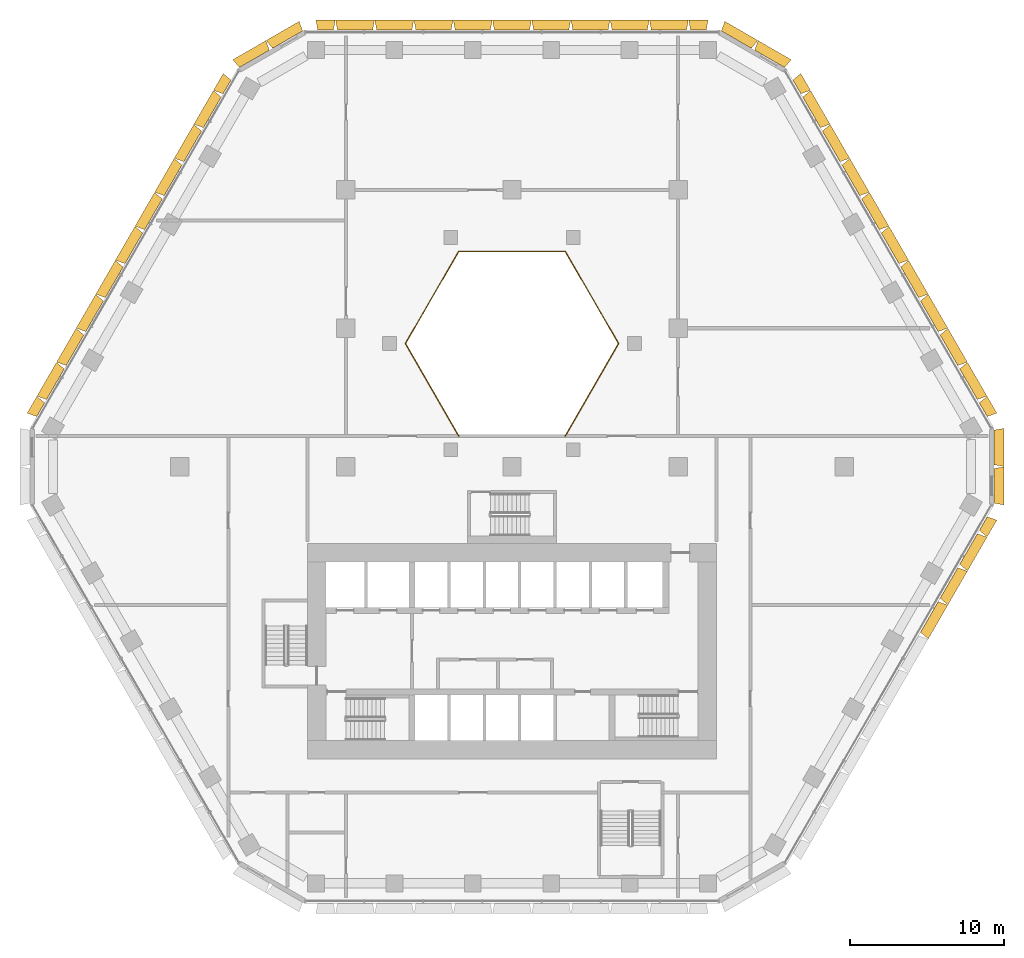
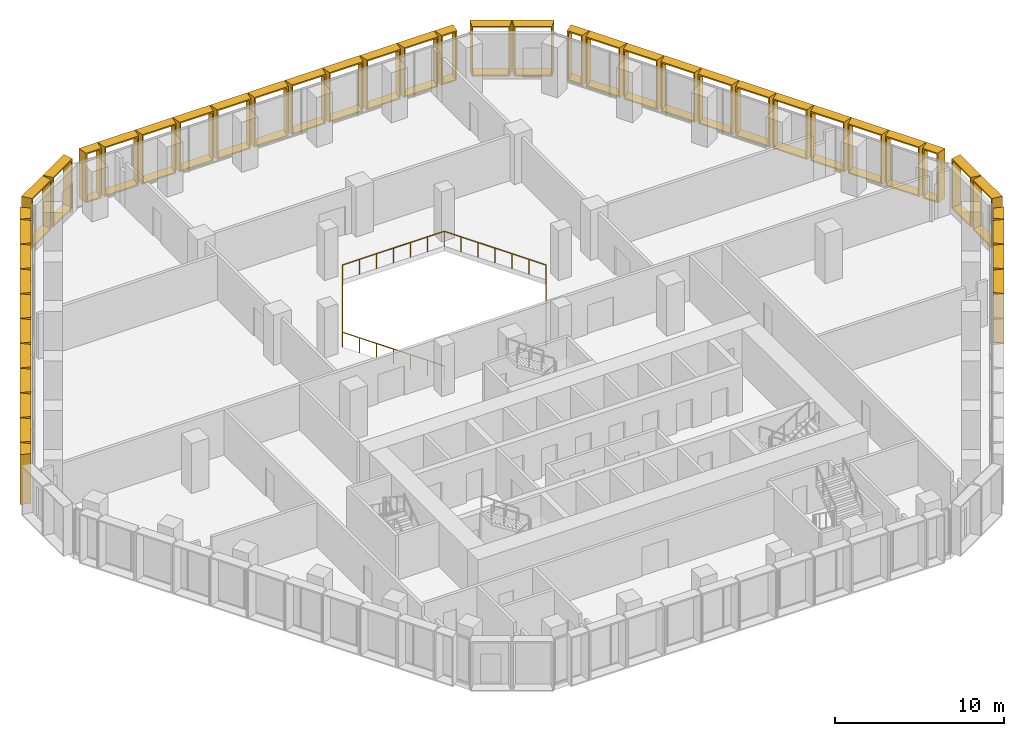
# One storey, part 22 of 22: 43 shading devices, 1 railing.
"""IFC4 building model written with IfcOpenShell, lengths in metres."""

from ifc_helpers import new_model, entity, si_unit, direction, frame, origin, origin_2d, place, context, subcontext, project, spatial, rectangle, extrude, source, transform, mapped, material, type_object, type_shapes, element, save


model = new_model("IFC4")

# Units and contexts
model_context = context("Model", 3, precision=1e-05, world=origin(), true_north=direction((0.0, 1.0)))
body_context = subcontext(model_context, "Body", "Model", "MODEL_VIEW")
ifc_project = project(units=[si_unit("LENGTHUNIT", "METRE"), si_unit("AREAUNIT", "SQUARE_METRE"), si_unit("VOLUMEUNIT", "CUBIC_METRE"), si_unit("PLANEANGLEUNIT", "RADIAN"), si_unit("MASSUNIT", "GRAM", prefix="KILO")], contexts=[model_context])

# Site, building, storey
site_placement = place(None, origin())
site = spatial("IfcSite", under=ifc_project, at=site_placement, CompositionType="ELEMENT")
building_placement = place(site_placement, origin())
building = spatial("IfcBuilding", under=site, at=building_placement, Name="Beryl Residences", CompositionType="ELEMENT")
storey_placement = place(building_placement, frame((0.0, 0.0, 12.60009765625)))
storey = spatial("IfcBuildingStorey", under=building, at=storey_placement, Name="L03", CompositionType="ELEMENT", Elevation=12.60009765625)

# Railing
ifc_material_1 = material(Name="Stainless steel balustrade with glass infill", Category="steel")
railing_type = type_object("IfcRailingType", Name="EG1 edge guard 1100 mm", PredefinedType="GUARDRAIL", material=ifc_material_1)
railing_placement = place(storey_placement, frame((3.464111328125, 2.0, 0.0)))
element("IfcRailing", 1, at=railing_placement, inside=storey, type_object=railing_type, Name="L03 guard 7", PredefinedType="GUARDRAIL", context=body_context, shape_type="SweptSolid", body=[
    extrude(rectangle(XDim=0.048095703125, YDim=0.048095703125, at=origin_2d()), frame((0.0, 0.0, 1.076171875), z_axis=(0.49997462182, 0.866040055388, 0.0), x_axis=(-0.866040055388, 0.49997462182, 0.0)), (0.0, 0.0, 1.0), 6.927978515625),
    extrude(rectangle(XDim=0.048095703125, YDim=0.048095703125, at=origin_2d()), frame((3.4638671875, 6.0, 1.076171875), z_axis=(-0.49997462182, 0.866040055388, 0.0), x_axis=(-0.866040055388, -0.49997462182, 0.0)), (0.0, 0.0, 1.0), 6.927978515625),
    extrude(rectangle(XDim=0.048095703125, YDim=0.048095703125, at=origin_2d()), frame((0.0, 12.0, 1.076171875), z_axis=(-1.0, 0.0, 0.0), x_axis=(0.0, -1.0, 0.0)), (0.0, 0.0, 1.0), 6.92822265625),
    extrude(rectangle(XDim=0.048095703125, YDim=0.048095703125, at=origin_2d()), frame((-6.92822265625, 12.0, 1.076171875), z_axis=(-0.49997462182, -0.866040055388, 0.0), x_axis=(0.866040055388, -0.49997462182, 0.0)), (0.0, 0.0, 1.0), 6.927978515625),
    extrude(rectangle(XDim=0.048095703125, YDim=0.048095703125, at=origin_2d()), frame((-10.39208984375, 6.0, 1.076171875), z_axis=(0.49997462182, -0.866040055388, 0.0), x_axis=(0.866040055388, 0.49997462182, 0.0)), (0.0, 0.0, 1.0), 6.927978515625),
    extrude(rectangle(XDim=0.0419921875, YDim=0.0419921875, at=origin_2d()), origin(), (0.0, 0.0, 1.0), 1.052001953125),
    extrude(rectangle(XDim=0.0419921875, YDim=0.0419921875, at=origin_2d()), frame((0.577392578125, 1.0, 0.0)), (0.0, 0.0, 1.0), 1.052001953125),
    extrude(rectangle(XDim=0.0419921875, YDim=0.0419921875, at=origin_2d()), frame((1.154541015625, 2.0, 0.0)), (0.0, 0.0, 1.0), 1.052001953125),
    extrude(rectangle(XDim=0.0419921875, YDim=0.0419921875, at=origin_2d()), frame((1.73193359375, 3.0, 0.0)), (0.0, 0.0, 1.0), 1.052001953125),
    extrude(rectangle(XDim=0.0419921875, YDim=0.0419921875, at=origin_2d()), frame((2.309326171875, 4.0, 0.0)), (0.0, 0.0, 1.0), 1.052001953125),
    extrude(rectangle(XDim=0.0419921875, YDim=0.0419921875, at=origin_2d()), frame((2.886474609375, 5.0, 0.0)), (0.0, 0.0, 1.0), 1.052001953125),
    extrude(rectangle(XDim=0.0419921875, YDim=0.0419921875, at=origin_2d()), frame((3.4638671875, 6.0, 0.0)), (0.0, 0.0, 1.0), 1.052001953125),
    extrude(rectangle(XDim=0.0419921875, YDim=0.0419921875, at=origin_2d()), frame((2.886474609375, 7.0, 0.0)), (0.0, 0.0, 1.0), 1.052001953125),
    extrude(rectangle(XDim=0.0419921875, YDim=0.0419921875, at=origin_2d()), frame((2.309326171875, 8.0, 0.0)), (0.0, 0.0, 1.0), 1.052001953125),
    extrude(rectangle(XDim=0.0419921875, YDim=0.0419921875, at=origin_2d()), frame((1.73193359375, 9.0, 0.0)), (0.0, 0.0, 1.0), 1.052001953125),
    extrude(rectangle(XDim=0.0419921875, YDim=0.0419921875, at=origin_2d()), frame((1.154541015625, 10.0, 0.0)), (0.0, 0.0, 1.0), 1.052001953125),
    extrude(rectangle(XDim=0.0419921875, YDim=0.0419921875, at=origin_2d()), frame((0.577392578125, 11.0, 0.0)), (0.0, 0.0, 1.0), 1.052001953125),
    extrude(rectangle(XDim=0.0419921875, YDim=0.0419921875, at=origin_2d()), frame((0.0, 12.0, 0.0)), (0.0, 0.0, 1.0), 1.052001953125),
    extrude(rectangle(XDim=0.0419921875, YDim=0.0419921875, at=origin_2d()), frame((-1.15478515625, 12.0, 0.0)), (0.0, 0.0, 1.0), 1.052001953125),
    extrude(rectangle(XDim=0.0419921875, YDim=0.0419921875, at=origin_2d()), frame((-2.309326171875, 12.0, 0.0)), (0.0, 0.0, 1.0), 1.052001953125),
    extrude(rectangle(XDim=0.0419921875, YDim=0.0419921875, at=origin_2d()), frame((-3.464111328125, 12.0, 0.0)), (0.0, 0.0, 1.0), 1.052001953125),
    extrude(rectangle(XDim=0.0419921875, YDim=0.0419921875, at=origin_2d()), frame((-4.618896484375, 12.0, 0.0)), (0.0, 0.0, 1.0), 1.052001953125),
    extrude(rectangle(XDim=0.0419921875, YDim=0.0419921875, at=origin_2d()), frame((-5.7734375, 12.0, 0.0)), (0.0, 0.0, 1.0), 1.052001953125),
    extrude(rectangle(XDim=0.0419921875, YDim=0.0419921875, at=origin_2d()), frame((-6.92822265625, 12.0, 0.0)), (0.0, 0.0, 1.0), 1.052001953125),
    extrude(rectangle(XDim=0.0419921875, YDim=0.0419921875, at=origin_2d()), frame((-7.505615234375, 11.0, 0.0)), (0.0, 0.0, 1.0), 1.052001953125),
    extrude(rectangle(XDim=0.0419921875, YDim=0.0419921875, at=origin_2d()), frame((-8.082763671875, 10.0, 0.0)), (0.0, 0.0, 1.0), 1.052001953125),
    extrude(rectangle(XDim=0.0419921875, YDim=0.0419921875, at=origin_2d()), frame((-8.66015625, 9.0, 0.0)), (0.0, 0.0, 1.0), 1.052001953125),
    extrude(rectangle(XDim=0.0419921875, YDim=0.0419921875, at=origin_2d()), frame((-9.237548828125, 8.0, 0.0)), (0.0, 0.0, 1.0), 1.052001953125),
    extrude(rectangle(XDim=0.0419921875, YDim=0.0419921875, at=origin_2d()), frame((-9.814697265625, 7.0, 0.0)), (0.0, 0.0, 1.0), 1.052001953125),
    extrude(rectangle(XDim=0.0419921875, YDim=0.0419921875, at=origin_2d()), frame((-10.39208984375, 6.0, 0.0)), (0.0, 0.0, 1.0), 1.052001953125),
    extrude(rectangle(XDim=0.0419921875, YDim=0.0419921875, at=origin_2d()), frame((-9.814697265625, 5.0, 0.0)), (0.0, 0.0, 1.0), 1.052001953125),
    extrude(rectangle(XDim=0.0419921875, YDim=0.0419921875, at=origin_2d()), frame((-9.237548828125, 4.0, 0.0)), (0.0, 0.0, 1.0), 1.052001953125),
    extrude(rectangle(XDim=0.0419921875, YDim=0.0419921875, at=origin_2d()), frame((-8.66015625, 3.0, 0.0)), (0.0, 0.0, 1.0), 1.052001953125),
    extrude(rectangle(XDim=0.0419921875, YDim=0.0419921875, at=origin_2d()), frame((-8.082763671875, 2.0, 0.0)), (0.0, 0.0, 1.0), 1.052001953125),
    extrude(rectangle(XDim=0.0419921875, YDim=0.0419921875, at=origin_2d()), frame((-7.505615234375, 1.0, 0.0)), (0.0, 0.0, 1.0), 1.052001953125),
    extrude(rectangle(XDim=0.0419921875, YDim=0.0419921875, at=origin_2d()), frame((-6.92822265625, 0.0, 0.0)), (0.0, 0.0, 1.0), 1.052001953125),
])

# Shading devices
ifc_material_2 = material(Name="Aluminium pale anodised", Category="aluminium")
shading_device_type_1 = type_object("IfcShadingDeviceType", Name="FR128-65A-H36 OUTER SKIN frame 650 mm deep, splay 10/10 deg, 1280 x 3600 mm cell", PredefinedType="USERDEFINED", material=ifc_material_2)
cartesian_point_1 = entity("IfcCartesianPoint", [-0.514892578125, 0.0])
cartesian_point_2 = entity("IfcCartesianPoint", [-0.433837890625, 0.10009765625])
cartesian_point_3 = entity("IfcCartesianPoint", [-0.629638671875, 0.0])
cartesian_point_4 = entity("IfcCartesianPoint", [-0.54833984375, 0.10009765625])
shared_shape_1 = source(origin(), body_context, "Body", "SweptSolid", [
    entity("IfcExtrudedAreaSolidTapered", entity("IfcArbitraryProfileDefWithVoids", "AREA", None, entity("IfcPolyline", [cartesian_point_1, entity("IfcCartesianPoint", [0.514892578125, 0.0]), entity("IfcCartesianPoint", [0.514892578125, 3.60009765625]), entity("IfcCartesianPoint", [-0.514892578125, 3.60009765625]), cartesian_point_1]), [entity("IfcPolyline", [cartesian_point_2, entity("IfcCartesianPoint", [0.433837890625, 0.10009765625]), entity("IfcCartesianPoint", [0.433837890625, 3.5]), entity("IfcCartesianPoint", [-0.433837890625, 3.5]), cartesian_point_2])]), entity("IfcAxis2Placement3D", entity("IfcCartesianPoint", [0.0, 0.0, 0.0]), entity("IfcDirection", [0.0, 1.0, 0.0]), entity("IfcDirection", [-1.0, 0.0, 0.0])), entity("IfcDirection", [0.0, 0.0, 1.0]), 0.64990234375, entity("IfcArbitraryProfileDefWithVoids", "AREA", None, entity("IfcPolyline", [cartesian_point_3, entity("IfcCartesianPoint", [0.629638671875, 0.0]), entity("IfcCartesianPoint", [0.629638671875, 3.60009765625]), entity("IfcCartesianPoint", [-0.629638671875, 3.60009765625]), cartesian_point_3]), [entity("IfcPolyline", [cartesian_point_4, entity("IfcCartesianPoint", [0.54833984375, 0.10009765625]), entity("IfcCartesianPoint", [0.54833984375, 3.5]), entity("IfcCartesianPoint", [-0.54833984375, 3.5]), cartesian_point_4])])),
])
type_shapes(shading_device_type_1, [shared_shape_1])
for number, where, z_axis, x_axis, name in (
    (2, (12.12109375, 28.39990234375, 0.0), (0.0, 0.0, 1.0), (1.0, 0.0, 0.0), "FR128-65A-H36 frame L03 N 1"),
    (3, (-12.123046875, 28.39990234375, 0.0), (0.0, 0.0, 1.0), (1.0, 0.0, 0.0), "FR128-65A-H36 frame L03 N 11"),
    (4, (-18.534912109375, 24.697021484375, 0.0), (0.0, 0.0, 1.0), (0.5, 0.866025403784, 0.0), "FR128-65A-H36 frame L03 NW 1"),
    (5, (-30.656005859375, 3.700927734375, 0.0), (0.0, 0.0, 1.0), (0.5, 0.866025403784, 0.0), "FR128-65A-H36 frame L03 NW 11"),
    (6, (30.656005859375, -3.700927734375, 0.0), (0.0, 0.0, 1.0), (-0.5, -0.866025403784, 0.0), "FR128-65A-H36 frame L03 SE 11"),
    (7, (30.655029296875, 3.702880859375, 0.0), (0.0, 0.0, 1.0), (0.5, -0.866025403784, 0.0), "FR128-65A-H36 frame L03 NE 1"),
    (8, (18.533935546875, 24.698974609375, 0.0), (0.0, 0.0, 1.0), (0.5, -0.866025403784, 0.0), "FR128-65A-H36 frame L03 NE 11"),
):
    element("IfcShadingDevice", number, at=place(storey_placement, frame(where, z_axis=z_axis, x_axis=x_axis)), inside=storey, type_object=shading_device_type_1, Name=name, ObjectType="OUTER SKIN", PredefinedType="USERDEFINED", context=body_context, shape_type="MappedRepresentation", body=[
        mapped(shared_shape_1, transform((0.0, 0.0, 0.0))),
    ])
ifc_material_3 = material(Name="Aluminium pale anodised", Category="aluminium")
shading_device_type_2 = type_object("IfcShadingDeviceType", Name="FR250-65A-H36 OUTER SKIN frame 650 mm deep, splay 10/10 deg, 2500 x 3600 mm cell", PredefinedType="USERDEFINED", material=ifc_material_3)
cartesian_point_5 = entity("IfcCartesianPoint", [-1.125, 0.0])
cartesian_point_6 = entity("IfcCartesianPoint", [-1.043701171875, 0.10009765625])
cartesian_point_7 = entity("IfcCartesianPoint", [-1.239501953125, 0.0])
cartesian_point_8 = entity("IfcCartesianPoint", [-1.158447265625, 0.10009765625])
shared_shape_2 = source(origin(), body_context, "Body", "SweptSolid", [
    entity("IfcExtrudedAreaSolidTapered", entity("IfcArbitraryProfileDefWithVoids", "AREA", None, entity("IfcPolyline", [cartesian_point_5, entity("IfcCartesianPoint", [1.125, 0.0]), entity("IfcCartesianPoint", [1.125, 3.60009765625]), entity("IfcCartesianPoint", [-1.125, 3.60009765625]), cartesian_point_5]), [entity("IfcPolyline", [cartesian_point_6, entity("IfcCartesianPoint", [1.043701171875, 0.10009765625]), entity("IfcCartesianPoint", [1.043701171875, 3.5]), entity("IfcCartesianPoint", [-1.043701171875, 3.5]), cartesian_point_6])]), entity("IfcAxis2Placement3D", entity("IfcCartesianPoint", [0.0, 0.0, 0.0]), entity("IfcDirection", [0.0, 1.0, 0.0]), entity("IfcDirection", [-1.0, 0.0, 0.0])), entity("IfcDirection", [0.0, 0.0, 1.0]), 0.64990234375, entity("IfcArbitraryProfileDefWithVoids", "AREA", None, entity("IfcPolyline", [cartesian_point_7, entity("IfcCartesianPoint", [1.239501953125, 0.0]), entity("IfcCartesianPoint", [1.239501953125, 3.60009765625]), entity("IfcCartesianPoint", [-1.239501953125, 3.60009765625]), cartesian_point_7]), [entity("IfcPolyline", [cartesian_point_8, entity("IfcCartesianPoint", [1.158447265625, 0.10009765625]), entity("IfcCartesianPoint", [1.158447265625, 3.5]), entity("IfcCartesianPoint", [-1.158447265625, 3.5]), cartesian_point_8])])),
])
type_shapes(shading_device_type_2, [shared_shape_2])
for number, where, z_axis, x_axis, name in (
    (9, (-14.593017578125, 27.77490234375, 0.0), (0.0, 0.0, 1.0), (0.866025403784, 0.5, 0.0), "FR250-65A-H36 frame L03 N-NW 1"),
    (10, (-16.758056640625, 26.52490234375, 0.0), (0.0, 0.0, 1.0), (0.866025403784, 0.5, 0.0), "FR250-65A-H36 frame L03 N-NW 2"),
    (11, (31.35009765625, -1.25, 0.0), (0.0, 0.0, 1.0), (0.0, -1.0, 0.0), "FR250-65A-H36 frame L03 SE-NE 1"),
    (12, (31.35009765625, 1.25, 0.0), (0.0, 0.0, 1.0), (0.0, -1.0, 0.0), "FR250-65A-H36 frame L03 SE-NE 2"),
    (13, (16.758056640625, 26.52490234375, 0.0), (0.0, 0.0, 1.0), (0.866025403784, -0.5, 0.0), "FR250-65A-H36 frame L03 NE-N 1"),
    (14, (14.593017578125, 27.77490234375, 0.0), (0.0, 0.0, 1.0), (0.866025403784, -0.5, 0.0), "FR250-65A-H36 frame L03 NE-N 2"),
):
    element("IfcShadingDevice", number, at=place(storey_placement, frame(where, z_axis=z_axis, x_axis=x_axis)), inside=storey, type_object=shading_device_type_2, Name=name, ObjectType="OUTER SKIN", PredefinedType="USERDEFINED", context=body_context, shape_type="MappedRepresentation", body=[
        mapped(shared_shape_2, transform((0.0, 0.0, 0.0))),
    ])
ifc_material_4 = material(Name="Aluminium pale anodised", Category="aluminium")
shading_device_type_3 = type_object("IfcShadingDeviceType", Name="FR255-65A-H36 OUTER SKIN frame 650 mm deep, splay 10/10 deg, 2550 x 3600 mm cell", PredefinedType="USERDEFINED", material=ifc_material_4)
cartesian_point_9 = entity("IfcCartesianPoint", [-1.14990234375, 0.0])
cartesian_point_10 = entity("IfcCartesianPoint", [-1.06884765625, 0.10009765625])
cartesian_point_11 = entity("IfcCartesianPoint", [-1.2646484375, 0.0])
cartesian_point_12 = entity("IfcCartesianPoint", [-1.183349609375, 0.10009765625])
shared_shape_3 = source(origin(), body_context, "Body", "SweptSolid", [
    entity("IfcExtrudedAreaSolidTapered", entity("IfcArbitraryProfileDefWithVoids", "AREA", None, entity("IfcPolyline", [cartesian_point_9, entity("IfcCartesianPoint", [1.14990234375, 0.0]), entity("IfcCartesianPoint", [1.14990234375, 3.60009765625]), entity("IfcCartesianPoint", [-1.14990234375, 3.60009765625]), cartesian_point_9]), [entity("IfcPolyline", [cartesian_point_10, entity("IfcCartesianPoint", [1.06884765625, 0.10009765625]), entity("IfcCartesianPoint", [1.06884765625, 3.5]), entity("IfcCartesianPoint", [-1.06884765625, 3.5]), cartesian_point_10])]), entity("IfcAxis2Placement3D", entity("IfcCartesianPoint", [0.0, 0.0, 0.0]), entity("IfcDirection", [0.0, 1.0, 0.0]), entity("IfcDirection", [-1.0, 0.0, 0.0])), entity("IfcDirection", [0.0, 0.0, 1.0]), 0.64990234375, entity("IfcArbitraryProfileDefWithVoids", "AREA", None, entity("IfcPolyline", [cartesian_point_11, entity("IfcCartesianPoint", [1.2646484375, 0.0]), entity("IfcCartesianPoint", [1.2646484375, 3.60009765625]), entity("IfcCartesianPoint", [-1.2646484375, 3.60009765625]), cartesian_point_11]), [entity("IfcPolyline", [cartesian_point_12, entity("IfcCartesianPoint", [1.183349609375, 0.10009765625]), entity("IfcCartesianPoint", [1.183349609375, 3.5]), entity("IfcCartesianPoint", [-1.183349609375, 3.5]), cartesian_point_12])])),
])
type_shapes(shading_device_type_3, [shared_shape_3])
for number, where, z_axis, x_axis, name in (
    (15, (10.20703125, 28.39990234375, 0.0), (0.0, 0.0, 1.0), (1.0, 0.0, 0.0), "FR255-65A-H36 frame L03 N 2"),
    (16, (7.655029296875, 28.39990234375, 0.0), (0.0, 0.0, 1.0), (1.0, 0.0, 0.0), "FR255-65A-H36 frame L03 N 3"),
    (17, (5.10302734375, 28.39990234375, 0.0), (0.0, 0.0, 1.0), (1.0, 0.0, 0.0), "FR255-65A-H36 frame L03 N 4"),
    (18, (2.551025390625, 28.39990234375, 0.0), (0.0, 0.0, 1.0), (1.0, 0.0, 0.0), "FR255-65A-H36 frame L03 N 5"),
    (19, (-0.0009765625, 28.39990234375, 0.0), (0.0, 0.0, 1.0), (1.0, 0.0, 0.0), "FR255-65A-H36 frame L03 N 6"),
    (20, (-2.552978515625, 28.39990234375, 0.0), (0.0, 0.0, 1.0), (1.0, 0.0, 0.0), "FR255-65A-H36 frame L03 N 7"),
    (21, (-5.10498046875, 28.39990234375, 0.0), (0.0, 0.0, 1.0), (1.0, 0.0, 0.0), "FR255-65A-H36 frame L03 N 8"),
    (22, (-7.656982421875, 28.39990234375, 0.0), (0.0, 0.0, 1.0), (1.0, 0.0, 0.0), "FR255-65A-H36 frame L03 N 9"),
    (23, (-10.208984375, 28.39990234375, 0.0), (0.0, 0.0, 1.0), (1.0, 0.0, 0.0), "FR255-65A-H36 frame L03 N 10"),
    (24, (-19.491943359375, 23.0400390625, 0.0), (0.0, 0.0, 1.0), (0.5, 0.866025403784, 0.0), "FR255-65A-H36 frame L03 NW 2"),
    (25, (-20.76806640625, 20.830078125, 0.0), (0.0, 0.0, 1.0), (0.5, 0.866025403784, 0.0), "FR255-65A-H36 frame L03 NW 3"),
    (26, (-22.0439453125, 18.618896484375, 0.0), (0.0, 0.0, 1.0), (0.5, 0.866025403784, 0.0), "FR255-65A-H36 frame L03 NW 4"),
    (27, (-23.320068359375, 16.408935546875, 0.0), (0.0, 0.0, 1.0), (0.5, 0.866025403784, 0.0), "FR255-65A-H36 frame L03 NW 5"),
    (28, (-24.594970703125, 14.198974609375, 0.0), (0.0, 0.0, 1.0), (0.5, 0.866025403784, 0.0), "FR255-65A-H36 frame L03 NW 6"),
    (29, (-25.87109375, 11.989013671875, 0.0), (0.0, 0.0, 1.0), (0.5, 0.866025403784, 0.0), "FR255-65A-H36 frame L03 NW 7"),
    (30, (-27.14697265625, 9.779052734375, 0.0), (0.0, 0.0, 1.0), (0.5, 0.866025403784, 0.0), "FR255-65A-H36 frame L03 NW 8"),
    (31, (-28.423095703125, 7.569091796875, 0.0), (0.0, 0.0, 1.0), (0.5, 0.866025403784, 0.0), "FR255-65A-H36 frame L03 NW 9"),
    (32, (-29.698974609375, 5.35888671875, 0.0), (0.0, 0.0, 1.0), (0.5, 0.866025403784, 0.0), "FR255-65A-H36 frame L03 NW 10"),
    (33, (27.14697265625, -9.779052734375, 0.0), (0.0, 0.0, 1.0), (-0.5, -0.866025403784, 0.0), "FR255-65A-H36 frame L03 SE 8"),
    (34, (28.423095703125, -7.569091796875, 0.0), (0.0, 0.0, 1.0), (-0.5, -0.866025403784, 0.0), "FR255-65A-H36 frame L03 SE 9"),
    (35, (29.698974609375, -5.35888671875, 0.0), (0.0, 0.0, 1.0), (-0.5, -0.866025403784, 0.0), "FR255-65A-H36 frame L03 SE 10"),
    (36, (29.697998046875, 5.360107421875, 0.0), (0.0, 0.0, 1.0), (0.5, -0.866025403784, 0.0), "FR255-65A-H36 frame L03 NE 2"),
    (37, (28.422119140625, 7.570068359375, 0.0), (0.0, 0.0, 1.0), (0.5, -0.866025403784, 0.0), "FR255-65A-H36 frame L03 NE 3"),
    (38, (27.14599609375, 9.781005859375, 0.0), (0.0, 0.0, 1.0), (0.5, -0.866025403784, 0.0), "FR255-65A-H36 frame L03 NE 4"),
    (39, (25.8701171875, 11.990966796875, 0.0), (0.0, 0.0, 1.0), (0.5, -0.866025403784, 0.0), "FR255-65A-H36 frame L03 NE 5"),
    (40, (24.594970703125, 14.200927734375, 0.0), (0.0, 0.0, 1.0), (0.5, -0.866025403784, 0.0), "FR255-65A-H36 frame L03 NE 6"),
    (41, (23.319091796875, 16.410888671875, 0.0), (0.0, 0.0, 1.0), (0.5, -0.866025403784, 0.0), "FR255-65A-H36 frame L03 NE 7"),
    (42, (22.04296875, 18.62109375, 0.0), (0.0, 0.0, 1.0), (0.5, -0.866025403784, 0.0), "FR255-65A-H36 frame L03 NE 8"),
    (43, (20.76708984375, 20.8310546875, 0.0), (0.0, 0.0, 1.0), (0.5, -0.866025403784, 0.0), "FR255-65A-H36 frame L03 NE 9"),
    (44, (19.490966796875, 23.041015625, 0.0), (0.0, 0.0, 1.0), (0.5, -0.866025403784, 0.0), "FR255-65A-H36 frame L03 NE 10"),
):
    element("IfcShadingDevice", number, at=place(storey_placement, frame(where, z_axis=z_axis, x_axis=x_axis)), inside=storey, type_object=shading_device_type_3, Name=name, ObjectType="OUTER SKIN", PredefinedType="USERDEFINED", context=body_context, shape_type="MappedRepresentation", body=[
        mapped(shared_shape_3, transform((0.0, 0.0, 0.0))),
    ])

save(model, "model.ifc")
